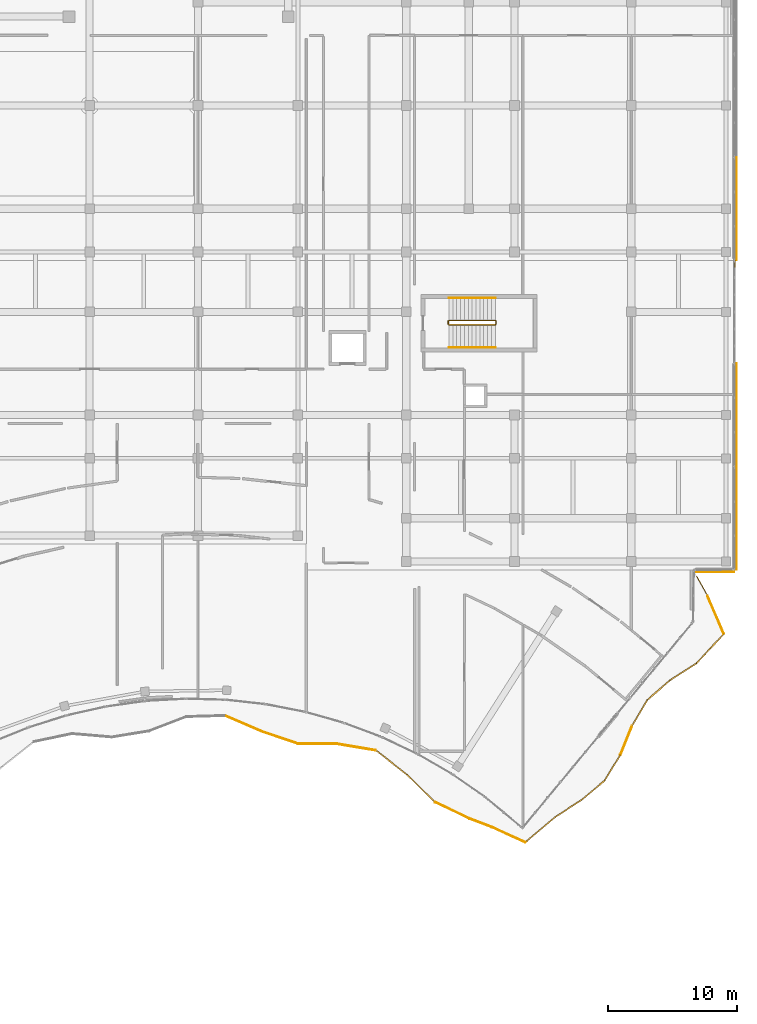
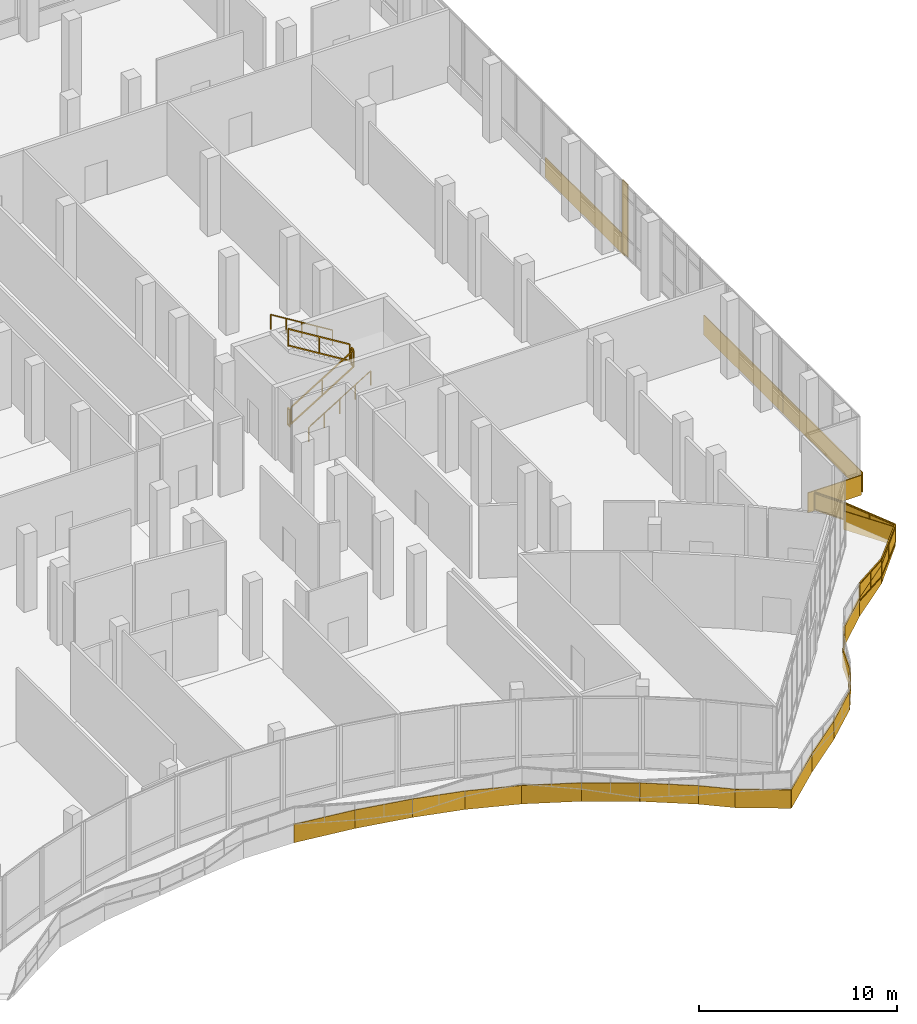
# One storey, part 154 of 155: 24 coverings, 7 railings.
"""IFC4 building model written with IfcOpenShell, lengths in metres."""

from ifc_helpers import new_model, si_unit, direction, frame, origin, origin_2d, place, context, subcontext, project, spatial, polyline, rectangle, circle, outline, extrude, material, layer, layer_set, type_object, element, save


model = new_model("IFC4")

# Units and contexts
model_context = context("Model", 3, precision=1e-05, world=origin(), true_north=direction((0.0, 1.0)))
body_context = subcontext(model_context, "Body", "Model", "MODEL_VIEW")
ifc_project = project(units=[si_unit("LENGTHUNIT", "METRE"), si_unit("AREAUNIT", "SQUARE_METRE"), si_unit("VOLUMEUNIT", "CUBIC_METRE"), si_unit("PLANEANGLEUNIT", "RADIAN"), si_unit("MASSUNIT", "GRAM", prefix="KILO")], contexts=[model_context])

# Site, building, storey
site_placement = place(None, origin())
site = spatial("IfcSite", under=ifc_project, at=site_placement, CompositionType="ELEMENT")
building_placement = place(site_placement, origin())
building = spatial("IfcBuilding", under=site, at=building_placement, Name="Selatvlak General Hospital", CompositionType="ELEMENT")
storey_placement = place(building_placement, frame((0.0, 0.0, 10.199951171875)))
storey = spatial("IfcBuildingStorey", under=building, at=storey_placement, Name="L02", CompositionType="ELEMENT", Elevation=10.199951171875)

# Coverings
ifc_material_1 = material(Name="PVDF aluminium fascia - signal green", Category="aluminium")
ifc_layer_1 = layer(ifc_material_1, 0.070068359375, Name="PVDF aluminium fascia - signal green", Category="aluminium")
ifc_layer_set_1 = layer_set([ifc_layer_1], Name="PVDF aluminium fascia - signal green")
covering_type_1 = type_object("IfcCoveringType", Name="COV-RB-GRN", PredefinedType="CLADDING", material=ifc_layer_set_1)
covering_1_placement = place(storey_placement, frame((142.498046875, 52.694091796875, -1.10693359375), z_axis=(0.0, 0.0, 1.0), x_axis=(0.91791035538, -0.396787826787, 0.0)))
element("IfcCovering", 1, at=covering_1_placement, inside=storey, type_object=covering_type_1, Name="L02 De Stijl waving fascia streamer 263", PredefinedType="CLADDING", context=body_context, shape_type="SweptSolid", body=[
    extrude(outline(polyline([(0.0, 0.0), (3.1103515625, 0.634033203125), (3.1103515625, 1.77392578125), (0.0, 1.139892578125), (0.0, 0.0)])), frame((0.0, 0.03515625, 0.0), z_axis=(0.0, -1.0, 0.0), x_axis=(1.0, 0.0, 0.0)), (0.0, 0.0, 1.0), 0.070068359375),
])
covering_2_placement = place(storey_placement, frame((145.35400390625, 51.4599609375, -0.472900390625), z_axis=(0.0, 0.0, 1.0), x_axis=(0.947465899834, -0.319856793976, 0.0)))
element("IfcCovering", 2, at=covering_2_placement, inside=storey, type_object=covering_type_1, Name="L02 De Stijl waving fascia streamer 264", PredefinedType="CLADDING", context=body_context, shape_type="SweptSolid", body=[
    extrude(outline(polyline([(0.0, 0.0), (2.94482421875, 0.27001953125), (2.94482421875, 1.409912109375), (0.0, 1.139892578125), (0.0, 0.0)])), frame((0.0, 0.03515625, 0.0), z_axis=(0.0, -1.0, 0.0), x_axis=(1.0, 0.0, 0.0)), (0.0, 0.0, 1.0), 0.070068359375),
])
covering_3_placement = place(storey_placement, frame((148.14501953125, 50.51708984375, -0.202880859375), z_axis=(0.0, 0.0, 1.0), x_axis=(0.999985989451, -0.005293477326, 0.0)))
element("IfcCovering", 3, at=covering_3_placement, inside=storey, type_object=covering_type_1, Name="L02 De Stijl waving fascia streamer 265", PredefinedType="CLADDING", context=body_context, shape_type="SweptSolid", body=[
    extrude(outline(polyline([(0.0, 0.0), (3.0439453125, -0.567138671875), (3.0439453125, 0.57275390625), (0.0, 1.139892578125), (0.0, 0.0)])), frame((0.0, 0.03515625, 0.0), z_axis=(0.0, -1.0, 0.0), x_axis=(1.0, 0.0, 0.0)), (0.0, 0.0, 1.0), 0.070068359375),
])
covering_4_placement = place(storey_placement, frame((151.18994140625, 50.5009765625, -0.77001953125), z_axis=(0.0, 0.0, 1.0), x_axis=(0.986361449756, -0.164593713229, 0.0)))
element("IfcCovering", 4, at=covering_4_placement, inside=storey, type_object=covering_type_1, Name="L02 De Stijl waving fascia streamer 266", PredefinedType="CLADDING", context=body_context, shape_type="SweptSolid", body=[
    extrude(outline(polyline([(0.0, 0.0), (3.049560546875, -0.408935546875), (3.049560546875, 0.73095703125), (0.0, 1.139892578125), (0.0, 0.0)])), frame((0.0, 0.03515625, 0.0), z_axis=(0.0, -1.0, 0.0), x_axis=(1.0, 0.0, 0.0)), (0.0, 0.0, 1.0), 0.070068359375),
])
covering_5_placement = place(storey_placement, frame((154.198974609375, 49.9990234375, -1.178955078125), z_axis=(0.0, 0.0, 1.0), x_axis=(0.787923007567, -0.615773768641, 0.0)))
element("IfcCovering", 5, at=covering_5_placement, inside=storey, type_object=covering_type_1, Name="L02 De Stijl waving fascia streamer 267", PredefinedType="CLADDING", context=body_context, shape_type="SweptSolid", body=[
    extrude(outline(polyline([(0.0, 0.0), (3.067626953125, 0.467041015625), (3.067626953125, 1.60693359375), (0.0, 1.139892578125), (0.0, 0.0)])), frame((0.0, 0.03515625, 0.0), z_axis=(0.0, -1.0, 0.0), x_axis=(1.0, 0.0, 0.0)), (0.0, 0.0, 1.0), 0.070068359375),
])
covering_6_placement = place(storey_placement, frame((156.617919921875, 48.10888671875, -0.7119140625), z_axis=(0.0, 0.0, 1.0), x_axis=(0.713051237969, -0.701111925466, 0.0)))
element("IfcCovering", 6, at=covering_6_placement, inside=storey, type_object=covering_type_1, Name="L02 De Stijl waving fascia streamer 268", PredefinedType="CLADDING", context=body_context, shape_type="SweptSolid", body=[
    extrude(outline(polyline([(0.0, 0.0), (3.0263671875, 0.52294921875), (3.0263671875, 1.662841796875), (0.0, 1.139892578125), (0.0, 0.0)])), frame((0.0, 0.03515625, 0.0), z_axis=(0.0, -1.0, 0.0), x_axis=(1.0, 0.0, 0.0)), (0.0, 0.0, 1.0), 0.070068359375),
])
covering_7_placement = place(storey_placement, frame((158.777099609375, 45.986083984375, -0.18896484375), z_axis=(0.0, 0.0, 1.0), x_axis=(0.903104302686, -0.429421259918, 0.0)))
element("IfcCovering", 7, at=covering_7_placement, inside=storey, type_object=covering_type_1, Name="L02 De Stijl waving fascia streamer 269", PredefinedType="CLADDING", context=body_context, shape_type="SweptSolid", body=[
    extrude(outline(polyline([(0.0, 0.0), (2.978515625, -0.3388671875), (2.978515625, 0.801025390625), (0.0, 1.139892578125), (0.0, 0.0)])), frame((0.0, 0.03515625, 0.0), z_axis=(0.0, -1.0, 0.0), x_axis=(1.0, 0.0, 0.0)), (0.0, 0.0, 1.0), 0.070068359375),
])
covering_8_placement = place(storey_placement, frame((161.467041015625, 44.70703125, -0.52783203125), z_axis=(0.0, 0.0, 1.0), x_axis=(0.933650724545, -0.358184763154, 0.0)))
element("IfcCovering", 8, at=covering_8_placement, inside=storey, type_object=covering_type_1, Name="L02 De Stijl waving fascia streamer 270", PredefinedType="CLADDING", context=body_context, shape_type="SweptSolid", body=[
    extrude(outline(polyline([(0.0, 0.0), (1.85400390625, -0.418212890625), (1.85400390625, 0.7216796875), (0.0, 1.139892578125), (0.0, 0.0)])), frame((0.0, 0.03515625, 0.0), z_axis=(0.0, -1.0, 0.0), x_axis=(1.0, 0.0, 0.0)), (0.0, 0.0, 1.0), 0.070068359375),
])
covering_9_placement = place(storey_placement, frame((163.19189453125, 44.0439453125, -0.946044921875), z_axis=(0.0, 0.0, 1.0), x_axis=(0.909870618503, -0.414892103547, 0.0)))
element("IfcCovering", 9, at=covering_9_placement, inside=storey, type_object=covering_type_1, Name="L02 De Stijl waving fascia streamer 271", PredefinedType="CLADDING", context=body_context, shape_type="SweptSolid", body=[
    extrude(outline(polyline([(0.0, 0.0), (2.853271484375, -0.22900390625), (2.853271484375, 0.910888671875), (0.0, 1.139892578125), (0.0, 0.0)])), frame((0.0, 0.03515625, 0.0), z_axis=(0.0, -1.0, 0.0), x_axis=(1.0, 0.0, 0.0)), (0.0, 0.0, 1.0), 0.070068359375),
])
covering_10_placement = place(storey_placement, frame((165.778076171875, 42.85888671875, -1.175048828125), z_axis=(0.0, 0.0, 1.0), x_axis=(0.762843080555, 0.646583663921, 0.0)))
element("IfcCovering", 10, at=covering_10_placement, inside=storey, type_object=covering_type_1, Name="L02 De Stijl waving fascia streamer 272", PredefinedType="CLADDING", context=body_context, shape_type="SweptSolid", body=[
    extrude(outline(polyline([(0.0, 0.0), (3.070068359375, 0.197021484375), (3.070068359375, 1.3369140625), (0.0, 1.139892578125), (0.0, 0.0)])), frame((0.0, 0.03515625, 0.0), z_axis=(0.0, -1.0, 0.0), x_axis=(1.0, 0.0, 0.0)), (0.0, 0.0, 1.0), 0.070068359375),
])
covering_11_placement = place(storey_placement, frame((168.114990234375, 44.842041015625, -0.97802734375), z_axis=(0.0, 0.0, 1.0), x_axis=(0.841050589164, 0.540956473726, 0.0)))
element("IfcCovering", 11, at=covering_11_placement, inside=storey, type_object=covering_type_1, Name="L02 De Stijl waving fascia streamer 273", PredefinedType="CLADDING", context=body_context, shape_type="SweptSolid", body=[
    extrude(outline(polyline([(0.0, 0.0), (2.41943359375, 0.508056640625), (2.41943359375, 1.64794921875), (0.0, 1.139892578125), (0.0, 0.0)])), frame((0.0, 0.03515625, 0.0), z_axis=(0.0, -1.0, 0.0), x_axis=(1.0, 0.0, 0.0)), (0.0, 0.0, 1.0), 0.070068359375),
])
covering_12_placement = place(storey_placement, frame((170.14990234375, 46.15087890625, -0.469970703125), z_axis=(0.0, 0.0, 1.0), x_axis=(0.764278646336, 0.644886153329, 0.0)))
element("IfcCovering", 12, at=covering_12_placement, inside=storey, type_object=covering_type_1, Name="L02 De Stijl waving fascia streamer 274", PredefinedType="CLADDING", context=body_context, shape_type="SweptSolid", body=[
    extrude(outline(polyline([(0.0, 0.0), (2.343505859375, 0.2890625), (2.343505859375, 1.428955078125), (0.0, 1.139892578125), (0.0, 0.0)])), frame((0.0, 0.03515625, 0.0), z_axis=(0.0, -1.0, 0.0), x_axis=(1.0, 0.0, 0.0)), (0.0, 0.0, 1.0), 0.070068359375),
])
covering_13_placement = place(storey_placement, frame((171.94091796875, 47.662109375, -0.180908203125), z_axis=(0.0, 0.0, 1.0), x_axis=(0.52003001344, 0.854147987835, 0.0)))
element("IfcCovering", 13, at=covering_13_placement, inside=storey, type_object=covering_type_1, Name="L02 De Stijl waving fascia streamer 275", PredefinedType="CLADDING", context=body_context, shape_type="SweptSolid", body=[
    extrude(outline(polyline([(0.0, 0.0), (2.3310546875, -0.233154296875), (2.3310546875, 0.90673828125), (0.0, 1.139892578125), (0.0, 0.0)])), frame((0.0, 0.03515625, 0.0), z_axis=(0.0, -1.0, 0.0), x_axis=(1.0, 0.0, 0.0)), (0.0, 0.0, 1.0), 0.070068359375),
])
covering_14_placement = place(storey_placement, frame((173.153076171875, 49.653076171875, -0.4140625), z_axis=(0.0, 0.0, 1.0), x_axis=(0.373477017925, 0.92763943269, 0.0)))
element("IfcCovering", 14, at=covering_14_placement, inside=storey, type_object=covering_type_1, Name="L02 De Stijl waving fascia streamer 276", PredefinedType="CLADDING", context=body_context, shape_type="SweptSolid", body=[
    extrude(outline(polyline([(0.0, 0.0), (2.419921875, -0.510986328125), (2.419921875, 0.62890625), (0.0, 1.139892578125), (0.0, 0.0)])), frame((0.0, 0.03515625, 0.0), z_axis=(0.0, -1.0, 0.0), x_axis=(1.0, 0.0, 0.0)), (0.0, 0.0, 1.0), 0.070068359375),
])
covering_15_placement = place(storey_placement, frame((174.056884765625, 51.89794921875, -0.925048828125), z_axis=(0.0, 0.0, 1.0), x_axis=(0.509014455971, 0.860757970403, 0.0)))
element("IfcCovering", 15, at=covering_15_placement, inside=storey, type_object=covering_type_1, Name="L02 De Stijl waving fascia streamer 277", PredefinedType="CLADDING", context=body_context, shape_type="SweptSolid", body=[
    extrude(outline(polyline([(0.0, 0.0), (2.336181640625, -0.2548828125), (2.336181640625, 0.885009765625), (0.0, 1.139892578125), (0.0, 0.0)])), frame((0.0, 0.03515625, 0.0), z_axis=(0.0, -1.0, 0.0), x_axis=(1.0, 0.0, 0.0)), (0.0, 0.0, 1.0), 0.070068359375),
])
covering_16_placement = place(storey_placement, frame((175.24609375, 53.908935546875, -1.179931640625), z_axis=(0.0, 0.0, 1.0), x_axis=(0.756129928105, 0.654421524573, 0.0)))
element("IfcCovering", 16, at=covering_16_placement, inside=storey, type_object=covering_type_1, Name="L02 De Stijl waving fascia streamer 278", PredefinedType="CLADDING", context=body_context, shape_type="SweptSolid", body=[
    extrude(outline(polyline([(0.0, 0.0), (2.337890625, 0.26806640625), (2.337890625, 1.407958984375), (0.0, 1.139892578125), (0.0, 0.0)])), frame((0.0, 0.03515625, 0.0), z_axis=(0.0, -1.0, 0.0), x_axis=(1.0, 0.0, 0.0)), (0.0, 0.0, 1.0), 0.070068359375),
])
covering_17_placement = place(storey_placement, frame((177.013916015625, 55.43896484375, -0.911865234375), z_axis=(0.0, 0.0, 1.0), x_axis=(0.841636991487, 0.540043678382, 0.0)))
element("IfcCovering", 17, at=covering_17_placement, inside=storey, type_object=covering_type_1, Name="L02 De Stijl waving fascia streamer 279", PredefinedType="CLADDING", context=body_context, shape_type="SweptSolid", body=[
    extrude(outline(polyline([(0.0, 0.0), (2.42041015625, 0.510986328125), (2.42041015625, 1.65087890625), (0.0, 1.139892578125), (0.0, 0.0)])), frame((0.0, 0.03515625, 0.0), z_axis=(0.0, -1.0, 0.0), x_axis=(1.0, 0.0, 0.0)), (0.0, 0.0, 1.0), 0.070068359375),
])
covering_18_placement = place(storey_placement, frame((179.050048828125, 56.742919921875, -0.40087890625), z_axis=(0.0, 0.0, 1.0), x_axis=(0.681828225791, 0.731512317405, 0.0)))
element("IfcCovering", 18, at=covering_18_placement, inside=storey, type_object=covering_type_1, Name="L02 De Stijl waving fascia streamer 280", PredefinedType="CLADDING", context=body_context, shape_type="SweptSolid", body=[
    extrude(outline(polyline([(0.0, 0.0), (3.125244140625, 0.218994140625), (3.125244140625, 1.35888671875), (0.0, 1.139892578125), (0.0, 0.0)])), frame((0.0, 0.03515625, 0.0), z_axis=(0.0, -1.0, 0.0), x_axis=(1.0, 0.0, 0.0)), (0.0, 0.0, 1.0), 0.070068359375),
])
covering_19_placement = place(storey_placement, frame((181.179931640625, 59.02490234375, -0.181884765625), z_axis=(0.0, 0.0, 1.0), x_axis=(-0.393836728341, 0.919180412873, 0.0)))
element("IfcCovering", 19, at=covering_19_placement, inside=storey, type_object=covering_type_1, Name="L02 De Stijl waving fascia streamer 281", PredefinedType="CLADDING", context=body_context, shape_type="SweptSolid", body=[
    extrude(outline(polyline([(0.0, 0.0), (3.211669921875, -0.3681640625), (3.211669921875, 0.771728515625), (0.0, 1.139892578125), (0.0, 0.0)])), frame((0.0, 0.03515625, 0.0), z_axis=(0.0, -1.0, 0.0), x_axis=(1.0, 0.0, 0.0)), (0.0, 0.0, 1.0), 0.070068359375),
])
ifc_material_2 = material(Name="White Bauhaus fair-faced cladding panel")
ifc_layer_2 = layer(ifc_material_2, 0.054931640625, Name="White Bauhaus fair-faced cladding panel")
ifc_layer_set_2 = layer_set([ifc_layer_2], Name="White Bauhaus fair-faced cladding panel")
covering_type_2 = type_object("IfcCoveringType", Name="COV-WHT1", PredefinedType="CLADDING", material=ifc_layer_set_2)
covering_20_placement = place(storey_placement, frame((182.1650390625, 92.0009765625, -0.27978515625), z_axis=(0.0, 0.0, 1.0), x_axis=(0.0, -1.0, 0.0)))
element("IfcCovering", 20, at=covering_20_placement, inside=storey, type_object=covering_type_2, Name="L02 Bauhaus horizontal white spandrel band 0165", PredefinedType="CLADDING", context=body_context, shape_type="SweptSolid", body=[
    extrude(rectangle(XDim=8.0, YDim=0.054931640625, at=origin_2d()), origin(), (0.0, 0.0, 1.0), 1.219970703125),
])
covering_21_placement = place(storey_placement, frame((182.044921875, 87.72607421875, 0.0), z_axis=(0.0, 0.0, 1.0), x_axis=(0.0, -1.0, 0.0)))
element("IfcCovering", 21, at=covering_21_placement, inside=storey, type_object=covering_type_2, Name="L02 Bauhaus vertical core pilaster 0166", PredefinedType="CLADDING", context=body_context, shape_type="SweptSolid", body=[
    extrude(rectangle(XDim=0.550048828125, YDim=0.054931640625, at=origin_2d()), origin(), (0.0, 0.0, 1.0), 4.4599609375),
])
for number, where, z_axis, x_axis, name in (
    (22, (182.1650390625, 76.0009765625, -0.27978515625), (0.0, 0.0, 1.0), (0.0, -1.0, 0.0), "L02 Bauhaus horizontal white spandrel band 0167"),
    (23, (182.1650390625, 68.0009765625, -0.27978515625), (0.0, 0.0, 1.0), (0.0, -1.0, 0.0), "L02 Bauhaus horizontal white spandrel band 0168"),
):
    element("IfcCovering", number, at=place(storey_placement, frame(where, z_axis=z_axis, x_axis=x_axis)), inside=storey, type_object=covering_type_2, Name=name, PredefinedType="CLADDING", context=body_context, shape_type="SweptSolid", body=[
        extrude(rectangle(XDim=8.0, YDim=0.054931640625, at=origin_2d()), origin(), (0.0, 0.0, 1.0), 1.219970703125),
    ])
covering_22_placement = place(storey_placement, frame((180.429931640625, 63.8359375, -0.27978515625), z_axis=(0.0, 0.0, 1.0), x_axis=(-0.999999950652, -0.00031415926, 0.0)))
element("IfcCovering", 24, at=covering_22_placement, inside=storey, type_object=covering_type_2, Name="L02 Bauhaus horizontal white spandrel band 0169", PredefinedType="CLADDING", context=body_context, shape_type="SweptSolid", body=[
    extrude(rectangle(XDim=3.139892578125, YDim=0.054931640625, at=origin_2d()), origin(), (0.0, 0.0, 1.0), 1.219970703125),
])

# Railings
ifc_material_3 = material(Name="Stainless steel 316 safety balustrade", Category="steel")
railing_type_1 = type_object("IfcRailingType", Name="RAIL-BAL1", PredefinedType="BALUSTRADE", material=ifc_material_3)
railing_1_placement = place(storey_placement, frame((179.080078125, 63.498046875, 0.0)))
element("IfcRailing", 25, at=railing_1_placement, inside=storey, type_object=railing_type_1, Name="L02 continuous curved balcony balustrade 0015", PredefinedType="BALUSTRADE", context=body_context, shape_type="SweptSolid", body=[
    extrude(rectangle(XDim=0.068115234375, YDim=0.068115234375, at=origin_2d()), frame((0.00146484375, -0.00244140625, 1.0859375), z_axis=(0.486628919625, -0.873608776618, 0.0), x_axis=(0.873608776618, 0.486628919625, 0.0)), (0.0, 0.0, 1.0), 1.738525390625),
    extrude(rectangle(XDim=0.068115234375, YDim=0.068115234375, at=origin_2d()), frame((0.00146484375, -0.00244140625, 0.049072265625), z_axis=(0.486628919625, -0.873608776618, 0.0), x_axis=(0.873608776618, 0.486628919625, 0.0)), (0.0, 0.0, 1.0), 1.738525390625),
    extrude(outline(polyline([(0.0, 0.0), (1.732421875, 0.0), (1.732421875, 0.94189453125), (0.0, 0.94189453125), (0.0, 0.0)])), frame((0.0185546875, 0.00341796875, 0.0849609375), z_axis=(-0.873608776618, -0.486628919625, 0.0), x_axis=(0.486628919625, -0.873608776618, 0.0)), (0.0, 0.0, 1.0), 0.031982421875),
    extrude(rectangle(XDim=0.068115234375, YDim=0.068115234375, at=origin_2d()), frame((0.85009765625, -1.526611328125, 1.0859375), z_axis=(0.393900950461, -0.91915289328, 0.0), x_axis=(0.91915289328, 0.393900950461, 0.0)), (0.0, 0.0, 1.0), 3.2060546875),
    extrude(rectangle(XDim=0.068115234375, YDim=0.068115234375, at=origin_2d()), frame((0.85009765625, -1.526611328125, 0.049072265625), z_axis=(0.393900950461, -0.91915289328, 0.0), x_axis=(0.91915289328, 0.393900950461, 0.0)), (0.0, 0.0, 1.0), 3.2060546875),
    extrude(outline(polyline([(0.0, 0.0), (3.19970703125, 0.0), (3.19970703125, 0.94189453125), (0.0, 0.94189453125), (0.0, 0.0)])), frame((0.86767578125, -1.5224609375, 0.0849609375), z_axis=(-0.91915289328, -0.393900950461, 0.0), x_axis=(0.393900950461, -0.91915289328, 0.0)), (0.0, 0.0, 1.0), 0.031982421875),
    extrude(rectangle(XDim=0.068115234375, YDim=0.068115234375, at=origin_2d()), frame((2.112060546875, -4.478271484375, 1.0859375), z_axis=(-0.681908987971, -0.731437032234, 0.0), x_axis=(0.731437032234, -0.681908987971, 0.0)), (0.0, 0.0, 1.0), 3.119384765625),
    extrude(rectangle(XDim=0.068115234375, YDim=0.068115234375, at=origin_2d()), frame((2.112060546875, -4.478271484375, 0.049072265625), z_axis=(-0.681908987971, -0.731437032234, 0.0), x_axis=(0.731437032234, -0.681908987971, 0.0)), (0.0, 0.0, 1.0), 3.119384765625),
    extrude(outline(polyline([(0.0, 0.0), (3.11328125, 0.0), (3.11328125, 0.94189453125), (0.0, 0.94189453125), (0.0, 0.0)])), frame((2.123046875, -4.49267578125, 0.0849609375), z_axis=(-0.731437032234, 0.681908987971, 0.0), x_axis=(-0.681908987971, -0.731437032234, 0.0)), (0.0, 0.0, 1.0), 0.031982421875),
    extrude(rectangle(XDim=0.068115234375, YDim=0.068115234375, at=origin_2d()), frame((-0.01953125, -6.763427734375, 1.0859375), z_axis=(-0.841636991487, -0.540043678382, 0.0), x_axis=(0.540043678382, -0.841636991487, 0.0)), (0.0, 0.0, 1.0), 2.41455078125),
    extrude(rectangle(XDim=0.068115234375, YDim=0.068115234375, at=origin_2d()), frame((-0.01953125, -6.763427734375, 0.049072265625), z_axis=(-0.841636991487, -0.540043678382, 0.0), x_axis=(0.540043678382, -0.841636991487, 0.0)), (0.0, 0.0, 1.0), 2.41455078125),
    extrude(outline(polyline([(0.0, 0.0), (2.408447265625, 0.0), (2.408447265625, 0.94189453125), (0.0, 0.94189453125), (0.0, 0.0)])), frame((-0.012451171875, -6.7802734375, 0.0849609375), z_axis=(-0.540043678382, 0.841636991487, 0.0), x_axis=(-0.841636991487, -0.540043678382, 0.0)), (0.0, 0.0, 1.0), 0.031982421875),
    extrude(rectangle(XDim=0.055908203125, YDim=0.055908203125, at=origin_2d()), origin(), (0.0, 0.0, 1.0), 1.049072265625),
    extrude(rectangle(XDim=0.055908203125, YDim=0.055908203125, at=origin_2d()), frame((0.848876953125, -1.52392578125, 0.0)), (0.0, 0.0, 1.0), 1.049072265625),
    extrude(rectangle(XDim=0.055908203125, YDim=0.055908203125, at=origin_2d()), frame((1.4814453125, -3.0, 0.0)), (0.0, 0.0, 1.0), 1.049072265625),
    extrude(rectangle(XDim=0.055908203125, YDim=0.055908203125, at=origin_2d()), frame((2.114013671875, -4.47607421875, 0.0)), (0.0, 0.0, 1.0), 1.049072265625),
    extrude(rectangle(XDim=0.055908203125, YDim=0.055908203125, at=origin_2d()), frame((1.04833984375, -5.619140625, 0.0)), (0.0, 0.0, 1.0), 1.049072265625),
    extrude(rectangle(XDim=0.055908203125, YDim=0.055908203125, at=origin_2d()), frame((-0.01708984375, -6.761962890625, 0.0)), (0.0, 0.0, 1.0), 1.049072265625),
    extrude(rectangle(XDim=0.055908203125, YDim=0.055908203125, at=origin_2d()), frame((-1.03564453125, -7.41552734375, 0.0)), (0.0, 0.0, 1.0), 1.049072265625),
    extrude(rectangle(XDim=0.055908203125, YDim=0.055908203125, at=origin_2d()), frame((-2.05419921875, -8.069091796875, 0.0)), (0.0, 0.0, 1.0), 1.049072265625),
])
ifc_material_4 = material(Name="Stainless steel 316 stair guard", Category="steel")
railing_type_2 = type_object("IfcRailingType", Name="RAIL-STG", PredefinedType="GUARDRAIL", material=ifc_material_4)
railing_2_placement = place(storey_placement, frame((159.860107421875, 83.010009765625, 0.1845703125)))
element("IfcRailing", 26, at=railing_2_placement, inside=storey, type_object=railing_type_2, Name="L02 ST-06 stair guard 1", PredefinedType="GUARDRAIL", context=body_context, shape_type="SweptSolid", body=[
    extrude(rectangle(XDim=0.068115234375, YDim=0.068115234375, at=origin_2d()), frame((0.00244140625, 0.0, 1.067626953125), z_axis=(0.851628569182, 0.0, 0.524145762315), x_axis=(0.0, 1.0, 0.0)), (0.0, 0.0, 1.0), 4.22119140625),
    extrude(rectangle(XDim=0.068115234375, YDim=0.068115234375, at=origin_2d()), frame((0.00244140625, 0.0, 0.050537109375), z_axis=(0.851628569182, 0.0, 0.524145762315), x_axis=(0.0, 1.0, 0.0)), (0.0, 0.0, 1.0), 4.22119140625),
    extrude(rectangle(XDim=0.055908203125, YDim=0.055908203125, at=origin_2d()), origin(), (0.0, 0.0, 1.0), 1.029052734375),
    extrude(rectangle(XDim=0.055908203125, YDim=0.055908203125, at=origin_2d()), frame((1.7998046875, 0.0, 1.10791015625)), (0.0, 0.0, 1.0), 1.029052734375),
    extrude(rectangle(XDim=0.055908203125, YDim=0.055908203125, at=origin_2d()), frame((3.599853515625, 0.0, 2.215576171875)), (0.0, 0.0, 1.0), 1.029052734375),
])
railing_3_placement = place(storey_placement, frame((163.510009765625, 83.06005859375, 2.400146484375)))
element("IfcRailing", 27, at=railing_3_placement, inside=storey, type_object=railing_type_2, Name="L02 ST-06 stair guard 2", PredefinedType="GUARDRAIL", context=body_context, shape_type="SweptSolid", body=[
    extrude(rectangle(XDim=0.068115234375, YDim=0.068115234375, at=origin_2d()), frame((0.0, 0.0029296875, 1.06591796875), z_axis=(0.0, 1.0, 0.0), x_axis=(-1.0, 0.0, 0.0)), (0.0, 0.0, 1.0), 0.214111328125),
    extrude(rectangle(XDim=0.068115234375, YDim=0.068115234375, at=origin_2d()), frame((0.0, 0.0029296875, 0.049072265625), z_axis=(0.0, 1.0, 0.0), x_axis=(-1.0, 0.0, 0.0)), (0.0, 0.0, 1.0), 0.214111328125),
    extrude(rectangle(XDim=0.055908203125, YDim=0.055908203125, at=origin_2d()), origin(), (0.0, 0.0, 1.0), 1.029052734375),
    extrude(rectangle(XDim=0.055908203125, YDim=0.055908203125, at=origin_2d()), frame((0.0, 0.219970703125, 0.0)), (0.0, 0.0, 1.0), 1.029052734375),
])
railing_4_placement = place(storey_placement, frame((163.4599609375, 83.330078125, 2.584716796875)))
element("IfcRailing", 28, at=railing_4_placement, inside=storey, type_object=railing_type_2, Name="L02 ST-06 stair guard 3", PredefinedType="GUARDRAIL", context=body_context, shape_type="SweptSolid", body=[
    extrude(rectangle(XDim=0.068115234375, YDim=0.068115234375, at=origin_2d()), frame((-0.00244140625, 0.0, 1.067626953125), z_axis=(-0.851654350407, 0.0, 0.524103870844), x_axis=(0.0, -1.0, 0.0)), (0.0, 0.0, 1.0), 4.220947265625),
    extrude(rectangle(XDim=0.068115234375, YDim=0.068115234375, at=origin_2d()), frame((-0.00244140625, 0.0, 0.050537109375), z_axis=(-0.851654350407, 0.0, 0.524103870844), x_axis=(0.0, -1.0, 0.0)), (0.0, 0.0, 1.0), 4.220947265625),
    extrude(rectangle(XDim=0.055908203125, YDim=0.055908203125, at=origin_2d()), origin(), (0.0, 0.0, 1.0), 1.029052734375),
    extrude(rectangle(XDim=0.055908203125, YDim=0.055908203125, at=origin_2d()), frame((-1.7998046875, 0.0, 1.107666015625)), (0.0, 0.0, 1.0), 1.029052734375),
    extrude(rectangle(XDim=0.055908203125, YDim=0.055908203125, at=origin_2d()), frame((-3.599853515625, 0.0, 2.21533203125)), (0.0, 0.0, 1.0), 1.029052734375),
])
railing_5_placement = place(storey_placement, frame((159.81005859375, 83.06005859375, 0.0)))
element("IfcRailing", 29, at=railing_5_placement, inside=storey, type_object=railing_type_2, Name="L02 ST-06 stair guard 4", PredefinedType="GUARDRAIL", context=body_context, shape_type="SweptSolid", body=[
    extrude(rectangle(XDim=0.068115234375, YDim=0.068115234375, at=origin_2d()), frame((0.0, 0.0029296875, 1.06591796875), z_axis=(0.0, 1.0, 0.0), x_axis=(-1.0, 0.0, 0.0)), (0.0, 0.0, 1.0), 0.214111328125),
    extrude(rectangle(XDim=0.068115234375, YDim=0.068115234375, at=origin_2d()), frame((0.0, 0.0029296875, 0.049072265625), z_axis=(0.0, 1.0, 0.0), x_axis=(-1.0, 0.0, 0.0)), (0.0, 0.0, 1.0), 0.214111328125),
    extrude(rectangle(XDim=0.055908203125, YDim=0.055908203125, at=origin_2d()), origin(), (0.0, 0.0, 1.0), 1.029052734375),
    extrude(rectangle(XDim=0.055908203125, YDim=0.055908203125, at=origin_2d()), frame((0.0, 0.219970703125, 0.0)), (0.0, 0.0, 1.0), 1.029052734375),
])
ifc_material_5 = material(Name="Stainless steel 316 handrail", Category="steel")
railing_type_3 = type_object("IfcRailingType", Name="RAIL-STH", PredefinedType="HANDRAIL", material=ifc_material_5)
railing_6_placement = place(storey_placement, frame((159.860107421875, 81.25, 0.1845703125)))
element("IfcRailing", 30, at=railing_6_placement, inside=storey, type_object=railing_type_3, Name="L02 ST-06 stair handrail 1", PredefinedType="HANDRAIL", context=body_context, shape_type="SweptSolid", body=[
    extrude(circle(Radius=0.02392578125, at=origin_2d()), frame((0.00244140625, 0.0, 0.87744140625), z_axis=(0.851628569182, 0.0, 0.524145762315), x_axis=(0.0, 1.0, 0.0)), (0.0, 0.0, 1.0), 4.22119140625),
    extrude(circle(Radius=0.02099609375, at=origin_2d()), origin(), (0.0, 0.0, 1.0), 0.848876953125),
    extrude(circle(Radius=0.02099609375, at=origin_2d()), frame((0.89990234375, 0.0, 0.553955078125)), (0.0, 0.0, 1.0), 0.848876953125),
    extrude(circle(Radius=0.02099609375, at=origin_2d()), frame((1.7998046875, 0.0, 1.10791015625)), (0.0, 0.0, 1.0), 0.848876953125),
    extrude(circle(Radius=0.02099609375, at=origin_2d()), frame((2.699951171875, 0.0, 1.66162109375)), (0.0, 0.0, 1.0), 0.848876953125),
    extrude(circle(Radius=0.02099609375, at=origin_2d()), frame((3.599853515625, 0.0, 2.215576171875)), (0.0, 0.0, 1.0), 0.848876953125),
])
railing_7_placement = place(storey_placement, frame((163.4599609375, 85.090087890625, 2.584716796875)))
element("IfcRailing", 31, at=railing_7_placement, inside=storey, type_object=railing_type_3, Name="L02 ST-06 stair handrail 2", PredefinedType="HANDRAIL", context=body_context, shape_type="SweptSolid", body=[
    extrude(circle(Radius=0.02392578125, at=origin_2d()), frame((-0.00244140625, 0.0, 0.87744140625), z_axis=(-0.851654350407, 0.0, 0.524103870844), x_axis=(0.0, -1.0, 0.0)), (0.0, 0.0, 1.0), 4.220947265625),
    extrude(circle(Radius=0.02099609375, at=origin_2d()), origin(), (0.0, 0.0, 1.0), 0.848876953125),
    extrude(circle(Radius=0.02099609375, at=origin_2d()), frame((-0.89990234375, 0.0, 0.5537109375)), (0.0, 0.0, 1.0), 0.848876953125),
    extrude(circle(Radius=0.02099609375, at=origin_2d()), frame((-1.7998046875, 0.0, 1.107666015625)), (0.0, 0.0, 1.0), 0.848876953125),
    extrude(circle(Radius=0.02099609375, at=origin_2d()), frame((-2.699951171875, 0.0, 1.66162109375)), (0.0, 0.0, 1.0), 0.848876953125),
    extrude(circle(Radius=0.02099609375, at=origin_2d()), frame((-3.599853515625, 0.0, 2.21533203125)), (0.0, 0.0, 1.0), 0.848876953125),
])

save(model, "model.ifc")
